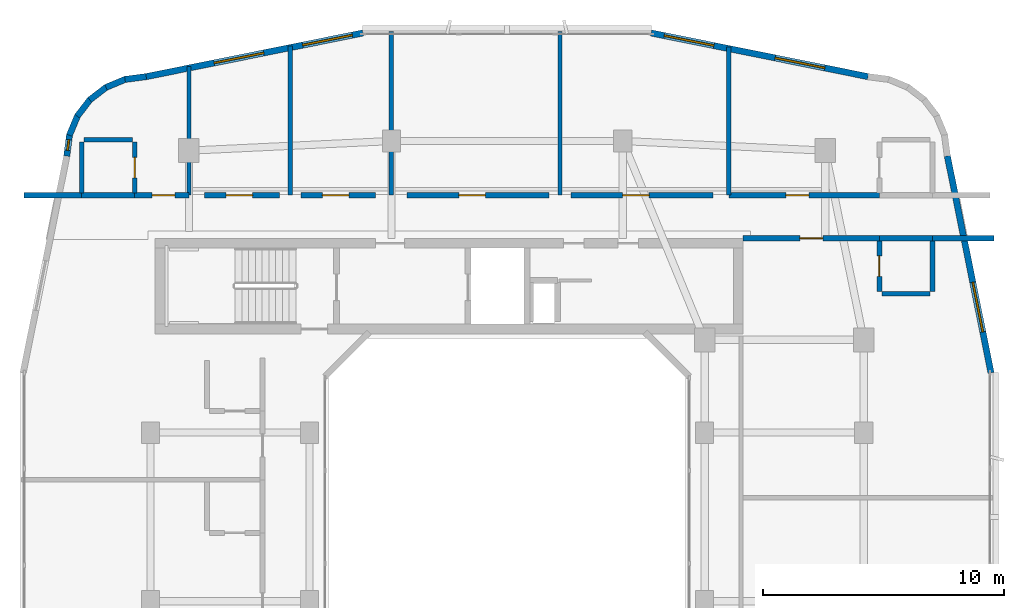
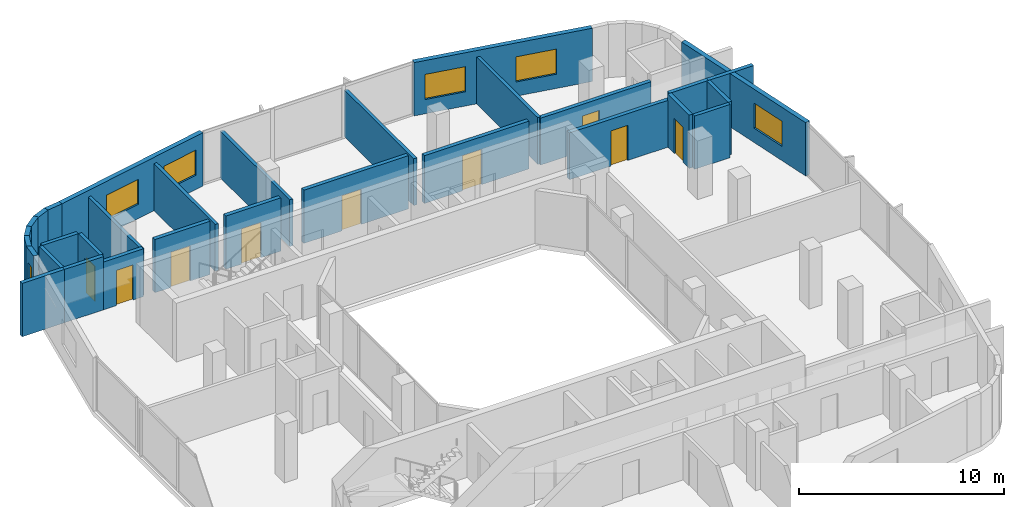
# One storey, part 9 of 14: 31 walls, 9 doors, 6 windows, 15 openings.
"""IFC4 building model written with IfcOpenShell, lengths in metres."""

from ifc_helpers import new_model, si_unit, derived_unit, direction, frame, frame_2d, origin, place, context, subcontext, project, spatial, rectangle, extrude, material, layer, layer_set, type_object, element, fill, save


model = new_model("IFC4")

# Units and contexts
model_context = context("Model", 3, precision=1e-05, world=origin(), true_north=direction((0.0, 1.0)))
body_context = subcontext(model_context, "Body", "Model", "MODEL_VIEW")
ifc_project = project(units=[si_unit("LENGTHUNIT", "METRE"), si_unit("AREAUNIT", "SQUARE_METRE"), si_unit("VOLUMEUNIT", "CUBIC_METRE"), si_unit("PLANEANGLEUNIT", "RADIAN"), si_unit("MASSUNIT", "GRAM", prefix="KILO"), derived_unit("THERMALTRANSMITTANCEUNIT", [(si_unit("POWERUNIT", "WATT"), 1), (si_unit("LENGTHUNIT", "METRE"), -2), (si_unit("THERMODYNAMICTEMPERATUREUNIT", "KELVIN"), -1)])], contexts=[model_context])

# Site, building, storey
site_placement = place(None, origin())
site = spatial("IfcSite", under=ifc_project, at=site_placement, CompositionType="ELEMENT")
building_placement = place(site_placement, origin())
building = spatial("IfcBuilding", under=site, at=building_placement, Name="Kivonza Crest Hotel", CompositionType="ELEMENT")
storey_placement = place(building_placement, frame((0.0, 0.0, 169.5)))
storey = spatial("IfcBuildingStorey", under=building, at=storey_placement, Name="L46", CompositionType="ELEMENT", Elevation=169.5)

# Walls
ifc_material_1 = material(Name="High-density acoustic masonry inter-tenancy wall", Category="masonry")
ifc_layer_1 = layer(ifc_material_1, 0.179931640625)
ifc_layer_set_1 = layer_set([ifc_layer_1], Name="High-density acoustic masonry inter-tenancy wall")
wall_type_1 = type_object("IfcWallType", Name="WL-ACOU-180", PredefinedType="SOLIDWALL", material=ifc_layer_set_1)
wall_1_placement = place(storey_placement, frame((7.800048828125, 38.35009765625, 0.0), z_axis=(0.0, 0.0, 1.0), x_axis=(0.0, 1.0, 0.0)))
element("IfcWall", 1, at=wall_1_placement, inside=storey, type_object=wall_type_1, Name="L46 interior partition WA-L46-T1N-DIV1", PredefinedType="SOLIDWALL", context=body_context, shape_type="SweptSolid", body=[
    extrude(rectangle(XDim=5.350830078125, YDim=0.179931640625, at=frame_2d((2.67529296875, 0.0))), origin(), (0.0, 0.0, 1.0), 2.794921875),
])
wall_2_placement = place(storey_placement, frame((12.0, 38.35009765625, 0.0), z_axis=(0.0, 0.0, 1.0), x_axis=(0.0, 1.0, 0.0)))
element("IfcWall", 2, at=wall_2_placement, inside=storey, type_object=wall_type_1, Name="L46 interior partition WA-L46-T1N-SPDIV1", PredefinedType="SOLIDWALL", context=body_context, shape_type="SweptSolid", body=[
    extrude(rectangle(XDim=6.197021484375, YDim=0.179931640625, at=frame_2d((3.0986328125, 0.0))), origin(), (0.0, 0.0, 1.0), 2.794921875),
])
for number, where, z_axis, x_axis, name in (
    (3, (16.199951171875, 38.35009765625, 0.0), (0.0, 0.0, 1.0), (0.0, 1.0, 0.0), "L46 interior partition WA-L46-T1N-DIV2"),
    (4, (23.199951171875, 38.35009765625, 0.0), (0.0, 0.0, 1.0), (0.0, 1.0, 0.0), "L46 interior partition WA-L46-T1N-SPDIV2"),
):
    element("IfcWall", number, at=place(storey_placement, frame(where, z_axis=z_axis, x_axis=x_axis)), inside=storey, type_object=wall_type_1, Name=name, PredefinedType="SOLIDWALL", context=body_context, shape_type="SweptSolid", body=[
        extrude(rectangle(XDim=6.789794921875, YDim=0.179931640625, at=frame_2d((3.39501953125, 0.0))), origin(), (0.0, 0.0, 1.0), 2.794921875),
    ])
wall_3_placement = place(storey_placement, frame((30.199951171875, 38.35009765625, 0.0), z_axis=(0.0, 0.0, 1.0), x_axis=(0.0, 1.0, 0.0)))
element("IfcWall", 5, at=wall_3_placement, inside=storey, type_object=wall_type_1, Name="L46 interior partition WA-L46-T1N-DIV3", PredefinedType="SOLIDWALL", context=body_context, shape_type="SweptSolid", body=[
    extrude(rectangle(XDim=6.156982421875, YDim=0.179931640625, at=frame_2d((3.07861328125, 0.0))), origin(), (0.0, 0.0, 1.0), 2.794921875),
])
ifc_material_2 = material(Name="Autoclaved aerated concrete blockwork", Category="masonry")
ifc_layer_2 = layer(ifc_material_2, 0.219970703125)
ifc_layer_set_2 = layer_set([ifc_layer_2], Name="Autoclaved aerated concrete blockwork")
wall_type_2 = type_object("IfcWallType", Name="WL-ACOU-220", PredefinedType="SOLIDWALL", material=ifc_layer_set_2)
wall_4_placement = place(storey_placement, frame((0.9599609375, 38.35009765625, 0.0), z_axis=(0.0, 0.0, 1.0), x_axis=(1.0, 0.0, 0.0)))
element("IfcWall", 6, at=wall_4_placement, inside=storey, type_object=wall_type_2, Name="L46 interior partition WA-L46-N01-XCORR", PredefinedType="SOLIDWALL", context=body_context, shape_type="SweptSolid", body=[
    extrude(rectangle(XDim=2.39013671875, YDim=0.219970703125, at=frame_2d((1.195068359375, 0.0))), origin(), (0.0, 0.0, 1.0), 3.179931640625),
])
wall_5_placement = place(storey_placement, frame((3.35009765625, 38.35009765625, 0.0), z_axis=(0.0, 0.0, 1.0), x_axis=(1.0, 0.0, 0.0)))
element("IfcWall", 7, at=wall_5_placement, inside=storey, type_object=wall_type_2, Name="L46 interior partition WA-L46-N01-BCORR", PredefinedType="SOLIDWALL", context=body_context, shape_type="SweptSolid", body=[
    extrude(rectangle(XDim=2.199951171875, YDim=0.219970703125, at=frame_2d((1.10009765625, 0.0))), origin(), (0.0, 0.0, 1.0), 3.179931640625),
])

# Wall, opening, door
wall_6_placement = place(storey_placement, frame((5.550048828125, 38.35009765625, 0.0), z_axis=(0.0, 0.0, 1.0), x_axis=(1.0, 0.0, 0.0)))
wall_6 = element("IfcWall", 8, at=wall_6_placement, inside=storey, type_object=wall_type_2, Name="L46 interior partition WA-L46-N01-MCORR", PredefinedType="SOLIDWALL", context=body_context, shape_type="SweptSolid", body=[
    extrude(rectangle(XDim=2.25, YDim=0.219970703125, at=frame_2d((1.125, 0.0))), origin(), (0.0, 0.0, 1.0), 2.85498046875),
])
opening_1_placement = place(wall_6_placement, frame((0.719970703125, 0.0, 0.0)))
opening_1 = element("IfcOpeningElement", 9, at=opening_1_placement, cuts=wall_6, Name="Opening DU-60", PredefinedType="OPENING", context=body_context, shape_type="SweptSolid", body=[
    extrude(rectangle(XDim=0.949951171875, YDim=2.10009765625, at=frame_2d((0.47509765625, 1.050048828125))), frame((0.0, 0.1201171875, 0.0), z_axis=(0.0, -1.0, 0.0), x_axis=(1.0, 0.0, 0.0)), (0.0, 0.0, 1.0), 0.239990234375),
])
ifc_material_3 = material(Name="Hardwood timber oak", Category="wood")
door_type_1 = type_object("IfcDoorType", Name="DR-UNIT-950", OperationType="NOTDEFINED", PredefinedType="DOOR", material=ifc_material_3)
door_1_placement = place(opening_1_placement, origin())
door_1 = element("IfcDoor", 10, at=door_1_placement, inside=storey, type_object=door_type_1, Name="L46 N01 guest unit entrance fire door", OperationType="SINGLE_SWING_LEFT", OverallHeight=2.10009765625, OverallWidth=0.949951171875, PredefinedType="DOOR", context=body_context, shape_type="SweptSolid", body=[
    extrude(rectangle(XDim=0.949951171875, YDim=2.10009765625, at=frame_2d((0.47509765625, 1.050048828125))), frame((0.0, 0.02490234375, 0.0), z_axis=(0.0, -1.0, 0.0), x_axis=(1.0, 0.0, 0.0)), (0.0, 0.0, 1.0), 0.050048828125),
])
fill(opening_1, door_1)

wall_7_placement = place(storey_placement, frame((8.449951171875, 38.35009765625, 0.0), z_axis=(0.0, 0.0, 1.0), x_axis=(1.0, 0.0, 0.0)))
wall_7 = element("IfcWall", 11, at=wall_7_placement, inside=storey, type_object=wall_type_2, Name="L46 interior partition WA-L46-Z3-NOFF1A-S", PredefinedType="SOLIDWALL", context=body_context, shape_type="SweptSolid", body=[
    extrude(rectangle(XDim=3.10009765625, YDim=0.219970703125, at=frame_2d((1.550048828125, 0.0))), origin(), (0.0, 0.0, 1.0), 3.179931640625),
])
opening_2_placement = place(wall_7_placement, frame((0.889892578125, 0.0, 0.0)))
opening_2 = element("IfcOpeningElement", 12, at=opening_2_placement, cuts=wall_7, Name="Opening DF-60M", PredefinedType="OPENING", context=body_context, shape_type="SweptSolid", body=[
    extrude(rectangle(XDim=1.10009765625, YDim=2.10009765625, at=frame_2d((0.550048828125, 1.050048828125))), frame((0.0, 0.1201171875, 0.0), z_axis=(0.0, -1.0, 0.0), x_axis=(1.0, 0.0, 0.0)), (0.0, 0.0, 1.0), 0.239990234375),
])
door_type_2 = type_object("IfcDoorType", Name="DR-FD60-1100", OperationType="NOTDEFINED", PredefinedType="DOOR", material=ifc_material_3)
door_2_placement = place(opening_2_placement, origin())
door_2 = element("IfcDoor", 13, at=door_2_placement, inside=storey, type_object=door_type_2, Name="L46 High-Rise Executive Briefing Office door", OperationType="SINGLE_SWING_RIGHT", OverallHeight=2.10009765625, OverallWidth=1.10009765625, PredefinedType="DOOR", context=body_context, shape_type="SweptSolid", body=[
    extrude(rectangle(XDim=1.10009765625, YDim=2.10009765625, at=frame_2d((0.550048828125, 1.050048828125))), frame((0.0, 0.02490234375, 0.0), z_axis=(0.0, -1.0, 0.0), x_axis=(1.0, 0.0, 0.0)), (0.0, 0.0, 1.0), 0.050048828125),
])
fill(opening_2, door_2)

wall_8_placement = place(storey_placement, frame((12.449951171875, 38.35009765625, 0.0), z_axis=(0.0, 0.0, 1.0), x_axis=(1.0, 0.0, 0.0)))
wall_8 = element("IfcWall", 14, at=wall_8_placement, inside=storey, type_object=wall_type_2, Name="L46 interior partition WA-L46-Z3-NOFF1B-S", PredefinedType="SOLIDWALL", context=body_context, shape_type="SweptSolid", body=[
    extrude(rectangle(XDim=3.10009765625, YDim=0.219970703125, at=frame_2d((1.550048828125, 0.0))), origin(), (0.0, 0.0, 1.0), 3.179931640625),
])
opening_3_placement = place(wall_8_placement, frame((0.889892578125, 0.0, 0.0)))
opening_3 = element("IfcOpeningElement", 15, at=opening_3_placement, cuts=wall_8, Name="Opening DF-60M", PredefinedType="OPENING", context=body_context, shape_type="SweptSolid", body=[
    extrude(rectangle(XDim=1.10009765625, YDim=2.10009765625, at=frame_2d((0.550048828125, 1.050048828125))), frame((0.0, 0.1201171875, 0.0), z_axis=(0.0, -1.0, 0.0), x_axis=(1.0, 0.0, 0.0)), (0.0, 0.0, 1.0), 0.239990234375),
])
door_3_placement = place(opening_3_placement, origin())
door_3 = element("IfcDoor", 16, at=door_3_placement, inside=storey, type_object=door_type_2, Name="L46 High-Rise Diplomatic Study Office door", OperationType="SINGLE_SWING_LEFT", OverallHeight=2.10009765625, OverallWidth=1.10009765625, PredefinedType="DOOR", context=body_context, shape_type="SweptSolid", body=[
    extrude(rectangle(XDim=1.10009765625, YDim=2.10009765625, at=frame_2d((0.550048828125, 1.050048828125))), frame((0.0, 0.02490234375, 0.0), z_axis=(0.0, -1.0, 0.0), x_axis=(1.0, 0.0, 0.0)), (0.0, 0.0, 1.0), 0.050048828125),
])
fill(opening_3, door_3)

wall_9_placement = place(storey_placement, frame((16.85009765625, 38.35009765625, 0.0), z_axis=(0.0, 0.0, 1.0), x_axis=(1.0, 0.0, 0.0)))
wall_9 = element("IfcWall", 17, at=wall_9_placement, inside=storey, type_object=wall_type_2, Name="L46 interior partition WA-L46-Z3-NOFF2A-S", PredefinedType="SOLIDWALL", context=body_context, shape_type="SweptSolid", body=[
    extrude(rectangle(XDim=5.89990234375, YDim=0.219970703125, at=frame_2d((2.949951171875, 0.0))), origin(), (0.0, 0.0, 1.0), 3.179931640625),
])
opening_4_placement = place(wall_9_placement, frame((2.14990234375, 0.0, 0.0)))
opening_4 = element("IfcOpeningElement", 18, at=opening_4_placement, cuts=wall_9, Name="Opening DF-60M", PredefinedType="OPENING", context=body_context, shape_type="SweptSolid", body=[
    extrude(rectangle(XDim=1.10009765625, YDim=2.10009765625, at=frame_2d((0.550048828125, 1.050048828125))), frame((0.0, 0.1201171875, 0.0), z_axis=(0.0, -1.0, 0.0), x_axis=(1.0, 0.0, 0.0)), (0.0, 0.0, 1.0), 0.239990234375),
])
door_4_placement = place(opening_4_placement, origin())
door_4 = element("IfcDoor", 19, at=door_4_placement, inside=storey, type_object=door_type_2, Name="L46 High-Rise Executive Briefing Office door", OperationType="SINGLE_SWING_RIGHT", OverallHeight=2.10009765625, OverallWidth=1.10009765625, PredefinedType="DOOR", context=body_context, shape_type="SweptSolid", body=[
    extrude(rectangle(XDim=1.10009765625, YDim=2.10009765625, at=frame_2d((0.550048828125, 1.050048828125))), frame((0.0, 0.02490234375, 0.0), z_axis=(0.0, -1.0, 0.0), x_axis=(1.0, 0.0, 0.0)), (0.0, 0.0, 1.0), 0.050048828125),
])
fill(opening_4, door_4)

wall_10_placement = place(storey_placement, frame((23.64990234375, 38.35009765625, 0.0), z_axis=(0.0, 0.0, 1.0), x_axis=(1.0, 0.0, 0.0)))
wall_10 = element("IfcWall", 20, at=wall_10_placement, inside=storey, type_object=wall_type_2, Name="L46 interior partition WA-L46-Z3-NOFF2B-S", PredefinedType="SOLIDWALL", context=body_context, shape_type="SweptSolid", body=[
    extrude(rectangle(XDim=5.900146484375, YDim=0.219970703125, at=frame_2d((2.9501953125, 0.0))), origin(), (0.0, 0.0, 1.0), 2.85498046875),
])
opening_5_placement = place(wall_10_placement, frame((2.14990234375, 0.0, 0.0)))
opening_5 = element("IfcOpeningElement", 21, at=opening_5_placement, cuts=wall_10, Name="Opening DF-60M", PredefinedType="OPENING", context=body_context, shape_type="SweptSolid", body=[
    extrude(rectangle(XDim=1.10009765625, YDim=2.10009765625, at=frame_2d((0.550048828125, 1.050048828125))), frame((0.0, 0.1201171875, 0.0), z_axis=(0.0, -1.0, 0.0), x_axis=(1.0, 0.0, 0.0)), (0.0, 0.0, 1.0), 0.239990234375),
])
door_5_placement = place(opening_5_placement, origin())
door_5 = element("IfcDoor", 22, at=door_5_placement, inside=storey, type_object=door_type_2, Name="L46 High-Rise Diplomatic Study Office door", OperationType="SINGLE_SWING_LEFT", OverallHeight=2.10009765625, OverallWidth=1.10009765625, PredefinedType="DOOR", context=body_context, shape_type="SweptSolid", body=[
    extrude(rectangle(XDim=1.10009765625, YDim=2.10009765625, at=frame_2d((0.550048828125, 1.050048828125))), frame((0.0, 0.02490234375, 0.0), z_axis=(0.0, -1.0, 0.0), x_axis=(1.0, 0.0, 0.0)), (0.0, 0.0, 1.0), 0.050048828125),
])
fill(opening_5, door_5)

wall_11_placement = place(storey_placement, frame((30.199951171875, 38.35009765625, 0.0), z_axis=(0.0, 0.0, 1.0), x_axis=(1.0, 0.0, 0.0)))
wall_11 = element("IfcWall", 23, at=wall_11_placement, inside=storey, type_object=wall_type_2, Name="L46 interior partition WA-L46-N02-MCORR", PredefinedType="SOLIDWALL", context=body_context, shape_type="SweptSolid", body=[
    extrude(rectangle(XDim=6.25, YDim=0.219970703125, at=frame_2d((3.125, 0.0))), origin(), (0.0, 0.0, 1.0), 2.794921875),
])
opening_6_placement = place(wall_11_placement, frame((2.3701171875, 0.0, 0.0)))
opening_6 = element("IfcOpeningElement", 24, at=opening_6_placement, cuts=wall_11, Name="Opening DU-60", PredefinedType="OPENING", context=body_context, shape_type="SweptSolid", body=[
    extrude(rectangle(XDim=0.949951171875, YDim=2.10009765625, at=frame_2d((0.47509765625, 1.050048828125))), frame((0.0, 0.1201171875, 0.0), z_axis=(0.0, -1.0, 0.0), x_axis=(1.0, 0.0, 0.0)), (0.0, 0.0, 1.0), 0.239990234375),
])
door_6_placement = place(opening_6_placement, origin())
door_6 = element("IfcDoor", 25, at=door_6_placement, inside=storey, type_object=door_type_1, Name="L46 N02 guest unit entrance fire door", OperationType="SINGLE_SWING_RIGHT", OverallHeight=2.10009765625, OverallWidth=0.949951171875, PredefinedType="DOOR", context=body_context, shape_type="SweptSolid", body=[
    extrude(rectangle(XDim=0.949951171875, YDim=2.10009765625, at=frame_2d((0.47509765625, 1.050048828125))), frame((0.0, 0.02490234375, 0.0), z_axis=(0.0, -1.0, 0.0), x_axis=(1.0, 0.0, 0.0)), (0.0, 0.0, 1.0), 0.050048828125),
])
fill(opening_6, door_6)

# Walls
wall_12_placement = place(storey_placement, frame((38.64990234375, 36.56005859375, 0.0), z_axis=(0.0, 0.0, 1.0), x_axis=(1.0, 0.0, 0.0)))
element("IfcWall", 26, at=wall_12_placement, inside=storey, type_object=wall_type_2, Name="L46 interior partition WA-L46-EN08-XCORR", PredefinedType="SOLIDWALL", context=body_context, shape_type="SweptSolid", body=[
    extrude(rectangle(XDim=2.550048828125, YDim=0.219970703125, at=frame_2d((1.27490234375, 0.0))), origin(), (0.0, 0.0, 1.0), 3.179931640625),
])
wall_13_placement = place(storey_placement, frame((36.449951171875, 36.56005859375, 0.0), z_axis=(0.0, 0.0, 1.0), x_axis=(1.0, 0.0, 0.0)))
element("IfcWall", 27, at=wall_13_placement, inside=storey, type_object=wall_type_2, Name="L46 interior partition WA-L46-EN08-BCORR", PredefinedType="SOLIDWALL", context=body_context, shape_type="SweptSolid", body=[
    extrude(rectangle(XDim=2.199951171875, YDim=0.219970703125, at=frame_2d((1.10009765625, 0.0))), origin(), (0.0, 0.0, 1.0), 3.179931640625),
])

# Wall, opening, door
wall_14_placement = place(storey_placement, frame((30.800048828125, 36.56005859375, 0.0), z_axis=(0.0, 0.0, 1.0), x_axis=(1.0, 0.0, 0.0)))
wall_14 = element("IfcWall", 28, at=wall_14_placement, inside=storey, type_object=wall_type_2, Name="L46 interior partition WA-L46-EN08-MCORR", PredefinedType="SOLIDWALL", context=body_context, shape_type="SweptSolid", body=[
    extrude(rectangle(XDim=5.64990234375, YDim=0.219970703125, at=frame_2d((2.824951171875, 0.0))), origin(), (0.0, 0.0, 1.0), 2.794921875),
])
opening_7_placement = place(wall_14_placement, frame((2.35009765625, 0.0, 0.0)))
opening_7 = element("IfcOpeningElement", 29, at=opening_7_placement, cuts=wall_14, Name="Opening DU-60", PredefinedType="OPENING", context=body_context, shape_type="SweptSolid", body=[
    extrude(rectangle(XDim=0.949951171875, YDim=2.10009765625, at=frame_2d((0.47509765625, 1.050048828125))), frame((0.0, 0.1201171875, 0.0), z_axis=(0.0, -1.0, 0.0), x_axis=(1.0, 0.0, 0.0)), (0.0, 0.0, 1.0), 0.239990234375),
])
door_7_placement = place(opening_7_placement, frame((0.949951171875, 0.0, 0.0), z_axis=(0.0, 0.0, 1.0), x_axis=(-1.0, 0.0, 0.0)))
door_7 = element("IfcDoor", 30, at=door_7_placement, inside=storey, type_object=door_type_1, Name="L46 EN08 guest unit entrance fire door", OperationType="SINGLE_SWING_LEFT", OverallHeight=2.10009765625, OverallWidth=0.949951171875, PredefinedType="DOOR", context=body_context, shape_type="SweptSolid", body=[
    extrude(rectangle(XDim=0.949951171875, YDim=2.10009765625, at=frame_2d((0.47509765625, 1.050048828125))), frame((0.0, 0.02490234375, 0.0), z_axis=(0.0, -1.0, 0.0), x_axis=(1.0, 0.0, 0.0)), (0.0, 0.0, 1.0), 0.050048828125),
])
fill(opening_7, door_7)

# Wall, opening, window
ifc_material_4 = material(Name="Precast concrete C40/50", Category="concrete")
ifc_layer_3 = layer(ifc_material_4, 0.260009765625)
ifc_layer_set_3 = layer_set([ifc_layer_3], Name="Precast concrete C40/50")
wall_type_3 = type_object("IfcWallType", Name="WL-EXT-260", PredefinedType="STANDARD", material=ifc_layer_set_3)
wall_15_placement = place(storey_placement, frame((41.083984375, 30.97998046875, 0.0), z_axis=(0.0, 0.0, 1.0), x_axis=(-0.197435082048, 0.980315963543, 0.0)))
wall_15 = element("IfcWall", 31, at=wall_15_placement, inside=storey, type_object=wall_type_3, Name="L46 T1 exterior insulated wall 18", PredefinedType="STANDARD", context=body_context, shape_type="SweptSolid", body=[
    extrude(rectangle(XDim=9.1826171875, YDim=0.260009765625, at=frame_2d((4.59130859375, 0.0))), origin(), (0.0, 0.0, 1.0), 3.179931640625),
])
opening_8_placement = place(wall_15_placement, frame((1.73388671875, 0.0, 0.85009765625)))
opening_8 = element("IfcOpeningElement", 32, at=opening_8_placement, cuts=wall_15, Name="Opening WN-04", PredefinedType="OPENING", context=body_context, shape_type="SweptSolid", body=[
    extrude(rectangle(XDim=2.10009765625, YDim=1.5, at=frame_2d((1.050048828125, 0.75))), frame((0.0, 0.14013671875, 0.0), z_axis=(0.0, -1.0, 0.0), x_axis=(1.0, 0.0, 0.0)), (0.0, 0.0, 1.0), 0.280029296875),
])
ifc_material_5 = material(Name="Thermally broken bronze aluminium and low-E double glazing", Category="aluminium")
window_type_1 = type_object("IfcWindowType", Name="WN-210x150", PartitioningType="DOUBLE_PANEL_VERTICAL", PredefinedType="WINDOW", material=ifc_material_5)
window_1_placement = place(opening_8_placement, origin())
window_1 = element("IfcWindow", 33, at=window_1_placement, inside=storey, type_object=window_type_1, Name="L46 T1 facade window 18", OverallHeight=1.5, OverallWidth=2.10009765625, PartitioningType="SINGLE_PANEL", PredefinedType="WINDOW", context=body_context, shape_type="SweptSolid", body=[
    extrude(rectangle(XDim=2.10009765625, YDim=1.5, at=frame_2d((1.050048828125, 0.75))), frame((0.0, 0.030029296875, 0.0), z_axis=(0.0, -1.0, 0.0), x_axis=(1.0, 0.0, 0.0)), (0.0, 0.0, 1.0), 0.06005859375),
])
fill(opening_8, window_1)

# Wall, openings, windows
wall_16_placement = place(storey_placement, frame((35.98193359375, 43.27099609375, 0.0), z_axis=(0.0, 0.0, 1.0), x_axis=(-0.980315963543, 0.197435082048, 0.0)))
wall_16 = element("IfcWall", 34, at=wall_16_placement, inside=storey, type_object=wall_type_3, Name="L46 T1 exterior insulated wall 25", PredefinedType="STANDARD", context=body_context, shape_type="SweptSolid", body=[
    extrude(rectangle(XDim=9.1826171875, YDim=0.260009765625, at=frame_2d((4.59130859375, 0.0))), origin(), (0.0, 0.0, 1.0), 3.179931640625),
])
opening_9_placement = place(wall_16_placement, frame((1.8369140625, 0.0, 0.85009765625)))
opening_9 = element("IfcOpeningElement", 35, at=opening_9_placement, cuts=wall_16, Name="Opening WN-04", PredefinedType="OPENING", context=body_context, shape_type="SweptSolid", body=[
    extrude(rectangle(XDim=2.10009765625, YDim=1.5, at=frame_2d((1.050048828125, 0.75))), frame((0.0, 0.14013671875, 0.0), z_axis=(0.0, -1.0, 0.0), x_axis=(1.0, 0.0, 0.0)), (0.0, 0.0, 1.0), 0.280029296875),
])
opening_10_placement = place(wall_16_placement, frame((6.527099609375, 0.0, 0.85009765625)))
opening_10 = element("IfcOpeningElement", 36, at=opening_10_placement, cuts=wall_16, Name="Opening WN-04", PredefinedType="OPENING", context=body_context, shape_type="SweptSolid", body=[
    extrude(rectangle(XDim=2.10009765625, YDim=1.5, at=frame_2d((1.050048828125, 0.75))), frame((0.0, 0.14013671875, 0.0), z_axis=(0.0, -1.0, 0.0), x_axis=(1.0, 0.0, 0.0)), (0.0, 0.0, 1.0), 0.280029296875),
])
window_2_placement = place(opening_9_placement, origin())
window_2 = element("IfcWindow", 37, at=window_2_placement, inside=storey, type_object=window_type_1, Name="L46 T1 facade window 25 bay 1", OverallHeight=1.5, OverallWidth=2.10009765625, PartitioningType="SINGLE_PANEL", PredefinedType="WINDOW", context=body_context, shape_type="SweptSolid", body=[
    extrude(rectangle(XDim=2.10009765625, YDim=1.5, at=frame_2d((1.050048828125, 0.75))), frame((0.0, 0.030029296875, 0.0), z_axis=(0.0, -1.0, 0.0), x_axis=(1.0, 0.0, 0.0)), (0.0, 0.0, 1.0), 0.06005859375),
])
fill(opening_9, window_2)
window_3_placement = place(opening_10_placement, origin())
window_3 = element("IfcWindow", 38, at=window_3_placement, inside=storey, type_object=window_type_1, Name="L46 T1 facade window 25 bay 2", OverallHeight=1.5, OverallWidth=2.10009765625, PartitioningType="SINGLE_PANEL", PredefinedType="WINDOW", context=body_context, shape_type="SweptSolid", body=[
    extrude(rectangle(XDim=2.10009765625, YDim=1.5, at=frame_2d((1.050048828125, 0.75))), frame((0.0, 0.030029296875, 0.0), z_axis=(0.0, -1.0, 0.0), x_axis=(1.0, 0.0, 0.0)), (0.0, 0.0, 1.0), 0.06005859375),
])
fill(opening_10, window_3)

wall_17_placement = place(storey_placement, frame((15.02001953125, 45.083984375, 0.0), z_axis=(0.0, 0.0, 1.0), x_axis=(-0.980315963543, -0.197435082048, 0.0)))
wall_17 = element("IfcWall", 39, at=wall_17_placement, inside=storey, type_object=wall_type_3, Name="L46 T1 exterior insulated wall 27", PredefinedType="STANDARD", context=body_context, shape_type="SweptSolid", body=[
    extrude(rectangle(XDim=9.1826171875, YDim=0.260009765625, at=frame_2d((4.59130859375, 0.0))), origin(), (0.0, 0.0, 1.0), 3.179931640625),
])
opening_11_placement = place(wall_17_placement, frame((0.452880859375, 0.0, 0.85009765625)))
opening_11 = element("IfcOpeningElement", 40, at=opening_11_placement, cuts=wall_17, Name="Opening WN-04", PredefinedType="OPENING", context=body_context, shape_type="SweptSolid", body=[
    extrude(rectangle(XDim=2.10009765625, YDim=1.5, at=frame_2d((1.050048828125, 0.75))), frame((0.0, 0.14013671875, 0.0), z_axis=(0.0, -1.0, 0.0), x_axis=(1.0, 0.0, 0.0)), (0.0, 0.0, 1.0), 0.280029296875),
])
opening_12_placement = place(wall_17_placement, frame((4.197998046875, 0.0, 0.85009765625)))
opening_12 = element("IfcOpeningElement", 41, at=opening_12_placement, cuts=wall_17, Name="Opening WN-04", PredefinedType="OPENING", context=body_context, shape_type="SweptSolid", body=[
    extrude(rectangle(XDim=2.10009765625, YDim=1.5, at=frame_2d((1.050048828125, 0.75))), frame((0.0, 0.14013671875, 0.0), z_axis=(0.0, -1.0, 0.0), x_axis=(1.0, 0.0, 0.0)), (0.0, 0.0, 1.0), 0.280029296875),
])
window_4_placement = place(opening_11_placement, origin())
window_4 = element("IfcWindow", 42, at=window_4_placement, inside=storey, type_object=window_type_1, Name="L46 T1 facade window 27 bay 1", OverallHeight=1.5, OverallWidth=2.10009765625, PartitioningType="SINGLE_PANEL", PredefinedType="WINDOW", context=body_context, shape_type="SweptSolid", body=[
    extrude(rectangle(XDim=2.10009765625, YDim=1.5, at=frame_2d((1.050048828125, 0.75))), frame((0.0, 0.030029296875, 0.0), z_axis=(0.0, -1.0, 0.0), x_axis=(1.0, 0.0, 0.0)), (0.0, 0.0, 1.0), 0.06005859375),
])
fill(opening_11, window_4)
window_5_placement = place(opening_12_placement, origin())
window_5 = element("IfcWindow", 43, at=window_5_placement, inside=storey, type_object=window_type_1, Name="L46 T1 facade window 27 bay 2", OverallHeight=1.5, OverallWidth=2.10009765625, PartitioningType="SINGLE_PANEL", PredefinedType="WINDOW", context=body_context, shape_type="SweptSolid", body=[
    extrude(rectangle(XDim=2.10009765625, YDim=1.5, at=frame_2d((1.050048828125, 0.75))), frame((0.0, 0.030029296875, 0.0), z_axis=(0.0, -1.0, 0.0), x_axis=(1.0, 0.0, 0.0)), (0.0, 0.0, 1.0), 0.06005859375),
])
fill(opening_12, window_5)

# Walls
wall_18_placement = place(storey_placement, frame((6.02490234375, 43.27197265625, 0.0), z_axis=(0.0, 0.0, 1.0), x_axis=(-0.991388484223, -0.130953706898, 0.0)))
element("IfcWall", 44, at=wall_18_placement, inside=storey, type_object=wall_type_3, Name="L46 T1 exterior insulated wall 28", PredefinedType="STANDARD", context=body_context, shape_type="SweptSolid", body=[
    extrude(rectangle(XDim=0.885498046875, YDim=0.260009765625, at=frame_2d((0.44287109375, 0.0))), origin(), (0.0, 0.0, 1.0), 3.179931640625),
])
wall_19_placement = place(storey_placement, frame((5.193115234375, 43.174072265625, 0.0), z_axis=(0.0, 0.0, 1.0), x_axis=(-0.923627776508, -0.383290660547, 0.0)))
element("IfcWall", 45, at=wall_19_placement, inside=storey, type_object=wall_type_3, Name="L46 T1 exterior insulated wall 29", PredefinedType="STANDARD", context=body_context, shape_type="SweptSolid", body=[
    extrude(rectangle(XDim=0.9033203125, YDim=0.260009765625, at=frame_2d((0.45166015625, 0.0))), origin(), (0.0, 0.0, 1.0), 3.179931640625),
])
wall_20_placement = place(storey_placement, frame((4.39892578125, 42.85595703125, 0.0), z_axis=(0.0, 0.0, 1.0), x_axis=(-0.793458244748, -0.608624690463, 0.0)))
element("IfcWall", 46, at=wall_20_placement, inside=storey, type_object=wall_type_3, Name="L46 T1 exterior insulated wall 30", PredefinedType="STANDARD", context=body_context, shape_type="SweptSolid", body=[
    extrude(rectangle(XDim=0.902099609375, YDim=0.260009765625, at=frame_2d((0.451171875, 0.0))), origin(), (0.0, 0.0, 1.0), 3.179931640625),
])
wall_21_placement = place(storey_placement, frame((3.714111328125, 42.344970703125, 0.0), z_axis=(0.0, 0.0, 1.0), x_axis=(-0.608494022858, -0.793558456666, 0.0)))
element("IfcWall", 47, at=wall_21_placement, inside=storey, type_object=wall_type_3, Name="L46 T1 exterior insulated wall 31", PredefinedType="STANDARD", context=body_context, shape_type="SweptSolid", body=[
    extrude(rectangle(XDim=0.90234375, YDim=0.260009765625, at=frame_2d((0.451171875, 0.0))), origin(), (0.0, 0.0, 1.0), 3.179931640625),
])
wall_22_placement = place(storey_placement, frame((3.18603515625, 41.673095703125, 0.0), z_axis=(0.0, 0.0, 1.0), x_axis=(-0.383155708213, -0.923683767999, 0.0)))
element("IfcWall", 48, at=wall_22_placement, inside=storey, type_object=wall_type_3, Name="L46 T1 exterior insulated wall 32", PredefinedType="STANDARD", context=body_context, shape_type="SweptSolid", body=[
    extrude(rectangle(XDim=0.90283203125, YDim=0.260009765625, at=frame_2d((0.451416015625, 0.0))), origin(), (0.0, 0.0, 1.0), 3.179931640625),
])

# Wall, opening, window
wall_23_placement = place(storey_placement, frame((2.847900390625, 40.887939453125, 0.0), z_axis=(0.0, 0.0, 1.0), x_axis=(-0.130200706103, -0.991487658083, 0.0)))
wall_23 = element("IfcWall", 49, at=wall_23_placement, inside=storey, type_object=wall_type_3, Name="L46 T1 exterior insulated wall 33", PredefinedType="STANDARD", context=body_context, shape_type="SweptSolid", body=[
    extrude(rectangle(XDim=0.920654296875, YDim=0.260009765625, at=frame_2d((0.46044921875, 0.0))), origin(), (0.0, 0.0, 1.0), 3.179931640625),
])
opening_13_placement = place(wall_23_placement, frame((0.235107421875, 0.0, 0.85009765625)))
opening_13 = element("IfcOpeningElement", 50, at=opening_13_placement, cuts=wall_23, Name="Opening WN-11", PredefinedType="OPENING", context=body_context, shape_type="SweptSolid", body=[
    extrude(rectangle(XDim=0.449951171875, YDim=1.5, at=frame_2d((0.22509765625, 0.75))), frame((0.0, 0.14013671875, 0.0), z_axis=(0.0, -1.0, 0.0), x_axis=(1.0, 0.0, 0.0)), (0.0, 0.0, 1.0), 0.280029296875),
])
window_type_2 = type_object("IfcWindowType", Name="WN-045x150", PartitioningType="SINGLE_PANEL", PredefinedType="WINDOW", material=ifc_material_5)
window_6_placement = place(opening_13_placement, origin())
window_6 = element("IfcWindow", 51, at=window_6_placement, inside=storey, type_object=window_type_2, Name="L46 corner vision window 1", OverallHeight=1.5, OverallWidth=0.449951171875, PartitioningType="SINGLE_PANEL", PredefinedType="WINDOW", context=body_context, shape_type="SweptSolid", body=[
    extrude(rectangle(XDim=0.449951171875, YDim=1.5, at=frame_2d((0.22509765625, 0.75))), frame((0.0, 0.030029296875, 0.0), z_axis=(0.0, -1.0, 0.0), x_axis=(1.0, 0.0, 0.0)), (0.0, 0.0, 1.0), 0.06005859375),
])
fill(opening_13, window_6)

# Wall, opening, door
ifc_material_6 = material(Name="Moisture-resistant plumbing chase partition wall", Category="gypsum")
ifc_layer_4 = layer(ifc_material_6, 0.199951171875)
ifc_layer_set_4 = layer_set([ifc_layer_4], Name="Moisture-resistant plumbing chase partition wall")
wall_type_4 = type_object("IfcWallType", Name="WL-PLUMB-200", PredefinedType="PLUMBINGWALL", material=ifc_layer_set_4)
wall_24_placement = place(storey_placement, frame((5.550048828125, 38.449951171875, 0.0), z_axis=(0.0, 0.0, 1.0), x_axis=(0.0, 1.0, 0.0)))
wall_24 = element("IfcWall", 52, at=wall_24_placement, inside=storey, type_object=wall_type_4, Name="L46 interior partition WW-L46-N01-BV", PredefinedType="PLUMBINGWALL", context=body_context, shape_type="SweptSolid", body=[
    extrude(rectangle(XDim=2.10009765625, YDim=0.199951171875, at=frame_2d((1.050048828125, 0.0))), origin(), (0.0, 0.0, 1.0), 3.179931640625),
])
opening_14_placement = place(wall_24_placement, frame((0.625, 0.0, 0.0)))
opening_14 = element("IfcOpeningElement", 53, at=opening_14_placement, cuts=wall_24, Name="Opening DI-85", PredefinedType="OPENING", context=body_context, shape_type="SweptSolid", body=[
    extrude(rectangle(XDim=0.85009765625, YDim=2.10009765625, at=frame_2d((0.425048828125, 1.050048828125))), frame((0.0, 0.10986328125, 0.0), z_axis=(0.0, -1.0, 0.0), x_axis=(1.0, 0.0, 0.0)), (0.0, 0.0, 1.0), 0.219970703125),
])
door_type_3 = type_object("IfcDoorType", Name="DR-INT-850", OperationType="NOTDEFINED", PredefinedType="DOOR", material=ifc_material_3)
door_8_placement = place(opening_14_placement, frame((0.85009765625, 0.0, 0.0), z_axis=(0.0, 0.0, 1.0), x_axis=(-1.0, 0.0, 0.0)))
door_8 = element("IfcDoor", 54, at=door_8_placement, inside=storey, type_object=door_type_3, Name="L46 N01 en-suite bathroom door", OperationType="SINGLE_SWING_RIGHT", OverallHeight=2.10009765625, OverallWidth=0.85009765625, PredefinedType="DOOR", context=body_context, shape_type="SweptSolid", body=[
    extrude(rectangle(XDim=0.85009765625, YDim=2.10009765625, at=frame_2d((0.425048828125, 1.050048828125))), frame((0.0, 0.02490234375, 0.0), z_axis=(0.0, -1.0, 0.0), x_axis=(1.0, 0.0, 0.0)), (0.0, 0.0, 1.0), 0.050048828125),
])
fill(opening_14, door_8)

# Walls
wall_25_placement = place(storey_placement, frame((3.449951171875, 40.64990234375, 0.0), z_axis=(0.0, 0.0, 1.0), x_axis=(1.0, 0.0, 0.0)))
element("IfcWall", 55, at=wall_25_placement, inside=storey, type_object=wall_type_4, Name="L46 interior partition WW-L46-N01-BH", PredefinedType="PLUMBINGWALL", context=body_context, shape_type="SweptSolid", body=[
    extrude(rectangle(XDim=2.0, YDim=0.199951171875, at=frame_2d((1.0, 0.0))), origin(), (0.0, 0.0, 1.0), 3.179931640625),
])
wall_26_placement = place(storey_placement, frame((3.35009765625, 38.449951171875, 0.0), z_axis=(0.0, 0.0, 1.0), x_axis=(0.0, 1.0, 0.0)))
element("IfcWall", 56, at=wall_26_placement, inside=storey, type_object=wall_type_4, Name="L46 interior partition WW-L46-N01-BVW", PredefinedType="PLUMBINGWALL", context=body_context, shape_type="SweptSolid", body=[
    extrude(rectangle(XDim=2.10009765625, YDim=0.199951171875, at=frame_2d((1.050048828125, 0.0))), origin(), (0.0, 0.0, 1.0), 3.179931640625),
])

# Wall, opening, door
wall_27_placement = place(storey_placement, frame((36.449951171875, 34.360107421875, 0.0), z_axis=(0.0, 0.0, 1.0), x_axis=(0.0, 1.0, 0.0)))
wall_27 = element("IfcWall", 57, at=wall_27_placement, inside=storey, type_object=wall_type_4, Name="L46 interior partition WW-L46-EN08-BV", PredefinedType="PLUMBINGWALL", context=body_context, shape_type="SweptSolid", body=[
    extrude(rectangle(XDim=2.099853515625, YDim=0.199951171875, at=frame_2d((1.0498046875, 0.0))), origin(), (0.0, 0.0, 1.0), 3.179931640625),
])
opening_15_placement = place(wall_27_placement, frame((0.625, 0.0, 0.0)))
opening_15 = element("IfcOpeningElement", 58, at=opening_15_placement, cuts=wall_27, Name="Opening DI-85", PredefinedType="OPENING", context=body_context, shape_type="SweptSolid", body=[
    extrude(rectangle(XDim=0.85009765625, YDim=2.10009765625, at=frame_2d((0.425048828125, 1.050048828125))), frame((0.0, 0.10986328125, 0.0), z_axis=(0.0, -1.0, 0.0), x_axis=(1.0, 0.0, 0.0)), (0.0, 0.0, 1.0), 0.219970703125),
])
door_9_placement = place(opening_15_placement, origin())
door_9 = element("IfcDoor", 59, at=door_9_placement, inside=storey, type_object=door_type_3, Name="L46 EN08 en-suite bathroom door", OperationType="SINGLE_SWING_RIGHT", OverallHeight=2.10009765625, OverallWidth=0.85009765625, PredefinedType="DOOR", context=body_context, shape_type="SweptSolid", body=[
    extrude(rectangle(XDim=0.85009765625, YDim=2.10009765625, at=frame_2d((0.425048828125, 1.050048828125))), frame((0.0, 0.02490234375, 0.0), z_axis=(0.0, -1.0, 0.0), x_axis=(1.0, 0.0, 0.0)), (0.0, 0.0, 1.0), 0.050048828125),
])
fill(opening_15, door_9)

# Walls
wall_28_placement = place(storey_placement, frame((36.550048828125, 34.260009765625, 0.0), z_axis=(0.0, 0.0, 1.0), x_axis=(1.0, 0.0, 0.0)))
element("IfcWall", 60, at=wall_28_placement, inside=storey, type_object=wall_type_4, Name="L46 interior partition WW-L46-EN08-BH", PredefinedType="PLUMBINGWALL", context=body_context, shape_type="SweptSolid", body=[
    extrude(rectangle(XDim=2.0, YDim=0.199951171875, at=frame_2d((1.0, 0.0))), origin(), (0.0, 0.0, 1.0), 3.179931640625),
])
wall_29_placement = place(storey_placement, frame((38.64990234375, 34.360107421875, 0.0), z_axis=(0.0, 0.0, 1.0), x_axis=(0.0, 1.0, 0.0)))
element("IfcWall", 61, at=wall_29_placement, inside=storey, type_object=wall_type_4, Name="L46 interior partition WW-L46-EN08-BVE", PredefinedType="PLUMBINGWALL", context=body_context, shape_type="SweptSolid", body=[
    extrude(rectangle(XDim=2.099853515625, YDim=0.199951171875, at=frame_2d((1.0498046875, 0.0))), origin(), (0.0, 0.0, 1.0), 3.179931640625),
])

save(model, "model.ifc")
